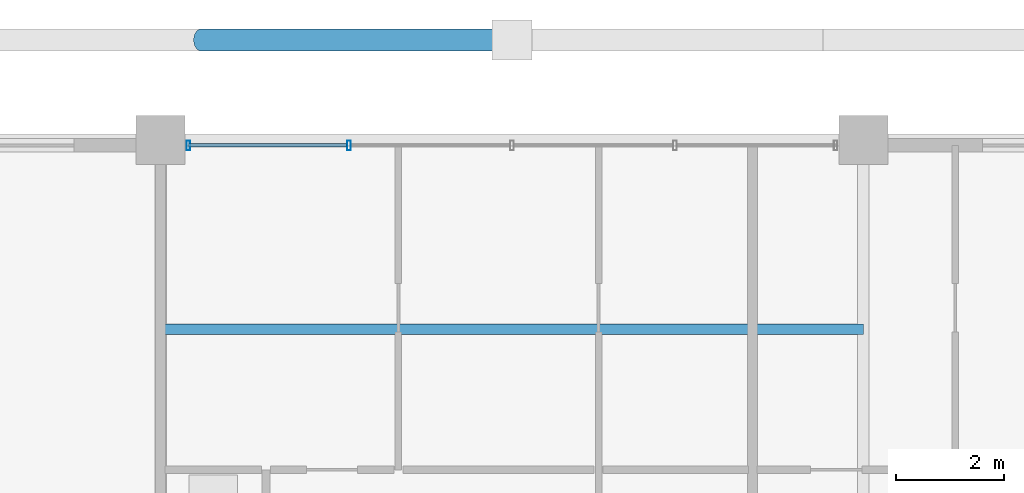
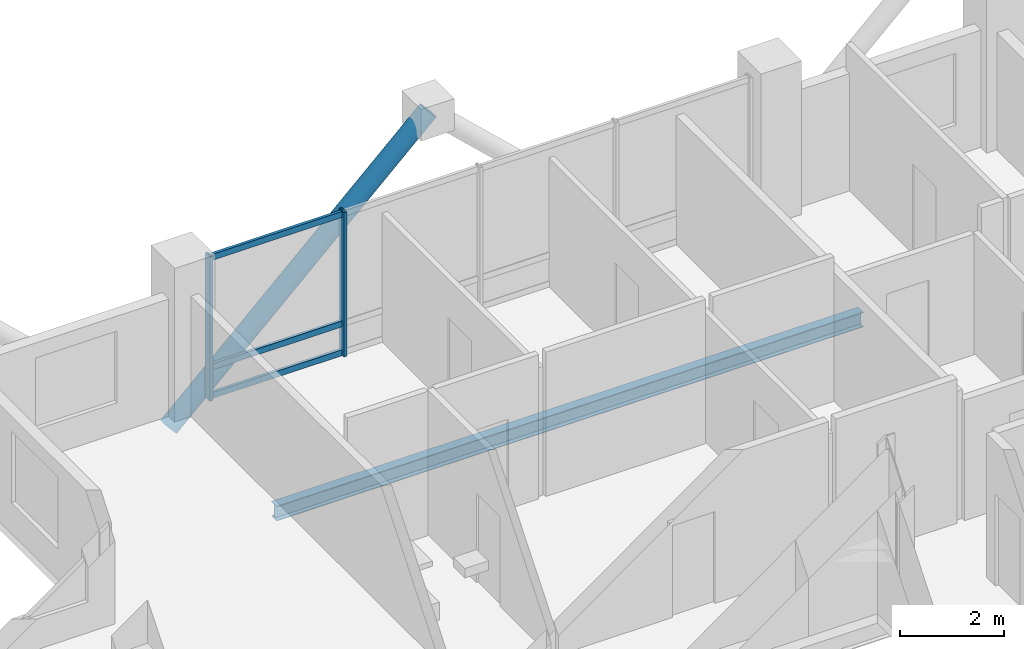
# One storey, part 14 of 23: 6 members, 1 beam, 1 element without a shape of its own.
"""IFC4 building model written with IfcOpenShell, lengths in metres."""

from ifc_helpers import new_model, si_unit, direction, frame, origin, origin_2d, place, context, subcontext, project, spatial, hollow_rectangle, hollow_circle, i_section, extrude, material, layer, layer_set, material_profile, profile_set, type_object, element, aggregate, save


model = new_model("IFC4")

# Units and contexts
model_context = context("Model", 3, precision=1e-05, world=origin(), true_north=direction((0.0, 1.0)))
body_context = subcontext(model_context, "Body", "Model", "MODEL_VIEW")
ifc_project = project(units=[si_unit("LENGTHUNIT", "METRE"), si_unit("AREAUNIT", "SQUARE_METRE"), si_unit("VOLUMEUNIT", "CUBIC_METRE"), si_unit("PLANEANGLEUNIT", "RADIAN"), si_unit("MASSUNIT", "GRAM", prefix="KILO")], contexts=[model_context])

# Site, building, storey
site_placement = place(None, origin())
site = spatial("IfcSite", under=ifc_project, at=site_placement, CompositionType="ELEMENT")
building_placement = place(site_placement, origin())
building = spatial("IfcBuilding", under=site, at=building_placement, Name="Barlavira Tower and Art Museum", CompositionType="ELEMENT")
storey_placement = place(building_placement, frame((0.0, 0.0, 247.5)))
storey = spatial("IfcBuildingStorey", under=building, at=storey_placement, Name="L64", CompositionType="ELEMENT", Elevation=247.5)

# Curtain wall, members
ifc_material_1 = material(Name="Low-iron coastal laminated glass", Category="glass")
ifc_layer = layer(ifc_material_1, 0.2099609375, Name="Low-iron coastal laminated glass")
ifc_layer_set = layer_set([ifc_layer], Name="Low-iron coastal laminated glass")
curtain_wall_type = type_object("IfcCurtainWallType", Name="Pale-Metal Unitised Curtain Wall Zone 4", PredefinedType="NOTDEFINED", material=ifc_layer_set)
curtain_wall_placement = place(storey_placement, origin())
curtain_wall = element("IfcCurtainWall", 1, at=curtain_wall_placement, inside=storey, type_object=curtain_wall_type, Name="L64 Curtain Wall CW4-L64-N-B2", PredefinedType="NOTDEFINED")
ifc_material_2 = material(Name="Pale anodised aluminium", Category="aluminium")
ifc_material_profile_1 = material_profile(ifc_material_2, hollow_rectangle(XDim=0.06494140625, YDim=0.179931640625, WallThickness=0.00390625, at=origin_2d()), Name="ALU-MULL 65x180x4")
ifc_profile_set_1 = profile_set([ifc_material_profile_1], Name="Pale anodised aluminium")
member_type_1 = type_object("IfcMemberType", Name="Curtain Wall Pale-Metal Mullion 65x180", PredefinedType="MULLION", material=ifc_profile_set_1)
member_1_placement = place(storey_placement, frame((-3.014892578125, 19.89990234375, 0.0), z_axis=(0.0, 0.0, 1.0), x_axis=(-1.0, 0.0, 0.0)))
member_1 = element("IfcMember", 2, at=member_1_placement, type_object=member_type_1, Name="CW4-L64-N-B2 Mullion 3", PredefinedType="MULLION", context=body_context, shape_type="SweptSolid", body=[
    extrude(hollow_rectangle(XDim=0.06494140625, YDim=0.179931640625, WallThickness=0.00390625, at=origin_2d()), origin(), (0.0, 0.0, 1.0), 3.3798828125),
])
member_2_placement = place(storey_placement, frame((-5.985107421875, 19.89990234375, 0.0), z_axis=(0.0, 0.0, 1.0), x_axis=(-1.0, 0.0, 0.0)))
member_2 = element("IfcMember", 3, at=member_2_placement, type_object=member_type_1, Name="CW4-L64-N-B2 Mullion 4", PredefinedType="MULLION", context=body_context, shape_type="SweptSolid", body=[
    extrude(hollow_rectangle(XDim=0.06494140625, YDim=0.179931640625, WallThickness=0.00390625, at=origin_2d()), origin(), (0.0, 0.0, 1.0), 3.3798828125),
])
ifc_material_profile_2 = material_profile(ifc_material_2, hollow_rectangle(XDim=0.06494140625, YDim=0.139892578125, WallThickness=0.00390625, at=origin_2d()), Name="ALU-TRAN 65x140x4")
ifc_profile_set_2 = profile_set([ifc_material_profile_2], Name="Pale anodised aluminium")
member_type_2 = type_object("IfcMemberType", Name="Curtain Wall Pale-Metal Transom 65x140", PredefinedType="USERDEFINED", material=ifc_profile_set_2)
member_3_placement = place(storey_placement, frame((-3.06005859375, 19.89990234375, 0.070068359375), z_axis=(-1.0, 0.0, 0.0), x_axis=(0.0, -1.0, 0.0)))
member_3 = element("IfcMember", 4, at=member_3_placement, type_object=member_type_2, Name="CW4-L64-N-B2 Transom 3.1", ObjectType="TRANSOM", PredefinedType="USERDEFINED", context=body_context, shape_type="SweptSolid", body=[
    extrude(hollow_rectangle(XDim=0.06494140625, YDim=0.139892578125, WallThickness=0.00390625, at=origin_2d()), origin(), (0.0, 0.0, 1.0), 2.925048828125),
])
member_4_placement = place(storey_placement, frame((-3.06005859375, 19.89990234375, 0.743896484375), z_axis=(-1.0, 0.0, 0.0), x_axis=(0.0, -1.0, 0.0)))
member_4 = element("IfcMember", 5, at=member_4_placement, type_object=member_type_2, Name="CW4-L64-N-B2 Transom 3.2", ObjectType="TRANSOM", PredefinedType="USERDEFINED", context=body_context, shape_type="SweptSolid", body=[
    extrude(hollow_rectangle(XDim=0.06494140625, YDim=0.139892578125, WallThickness=0.00390625, at=origin_2d()), origin(), (0.0, 0.0, 1.0), 2.925048828125),
])
member_5_placement = place(storey_placement, frame((-3.06005859375, 19.89990234375, 3.31005859375), z_axis=(-1.0, 0.0, 0.0), x_axis=(0.0, -1.0, 0.0)))
member_5 = element("IfcMember", 6, at=member_5_placement, type_object=member_type_2, Name="CW4-L64-N-B2 Transom 3.3", ObjectType="TRANSOM", PredefinedType="USERDEFINED", context=body_context, shape_type="SweptSolid", body=[
    extrude(hollow_rectangle(XDim=0.06494140625, YDim=0.139892578125, WallThickness=0.00390625, at=origin_2d()), origin(), (0.0, 0.0, 1.0), 2.925048828125),
])
aggregate(curtain_wall, [member_1, member_2, member_3, member_4, member_5])

# Member
ifc_material_3 = material(Name="Steel S355", Category="steel")
ifc_material_profile_3 = material_profile(ifc_material_3, hollow_circle(Radius=0.203125, WallThickness=0.01611328125, at=origin_2d()), Name="CHS 406.4x16.0")
ifc_profile_set_3 = profile_set([ifc_material_profile_3], Name="Steel S355")
member_type_3 = type_object("IfcMemberType", Name="Pale-Metal Exoskeleton Diagrid Tube CHS 406x16 Steel S355", PredefinedType="BRACE", material=ifc_profile_set_3)
member_6_placement = place(storey_placement, frame((-5.75, 21.85009765625, -1.919921875), z_axis=(0.728950095515, 0.0, 0.684566839869), x_axis=(0.0, 1.0, 0.0)))
element("IfcMember", 7, at=member_6_placement, inside=storey, type_object=member_type_3, Name="L64 Exoskeleton Diagrid Tube N", PredefinedType="BRACE", context=body_context, shape_type="SweptSolid", body=[
    extrude(hollow_circle(Radius=0.203125, WallThickness=0.01611328125, at=origin_2d()), origin(), (0.0, 0.0, 1.0), 7.887939453125),
])

# Beam
ifc_material_profile_4 = material_profile(ifc_material_3, i_section(OverallWidth=0.202880859375, OverallDepth=0.346923828125, WebThickness=0.0078125, FlangeThickness=0.013427734375, at=origin_2d()), Name="W360x64.0")
ifc_profile_set_4 = profile_set([ifc_material_profile_4], Name="Steel S355")
beam_type = type_object("IfcBeamType", Name="Zone 4 Composite Floor Joist W360x64 Steel S355", PredefinedType="JOIST", material=ifc_profile_set_4)
beam_placement = place(storey_placement, frame((-6.5, 16.5, -0.3935546875), z_axis=(1.0, 0.0, 0.0), x_axis=(0.0, 1.0, 0.0)))
element("IfcBeam", 8, at=beam_placement, inside=storey, type_object=beam_type, Name="L64 Joist C2", PredefinedType="JOIST", context=body_context, shape_type="SweptSolid", body=[
    extrude(i_section(OverallWidth=0.202880859375, OverallDepth=0.346923828125, WebThickness=0.0078125, FlangeThickness=0.013427734375, at=origin_2d()), origin(), (0.0, 0.0, 1.0), 13.0),
])

save(model, "model.ifc")
